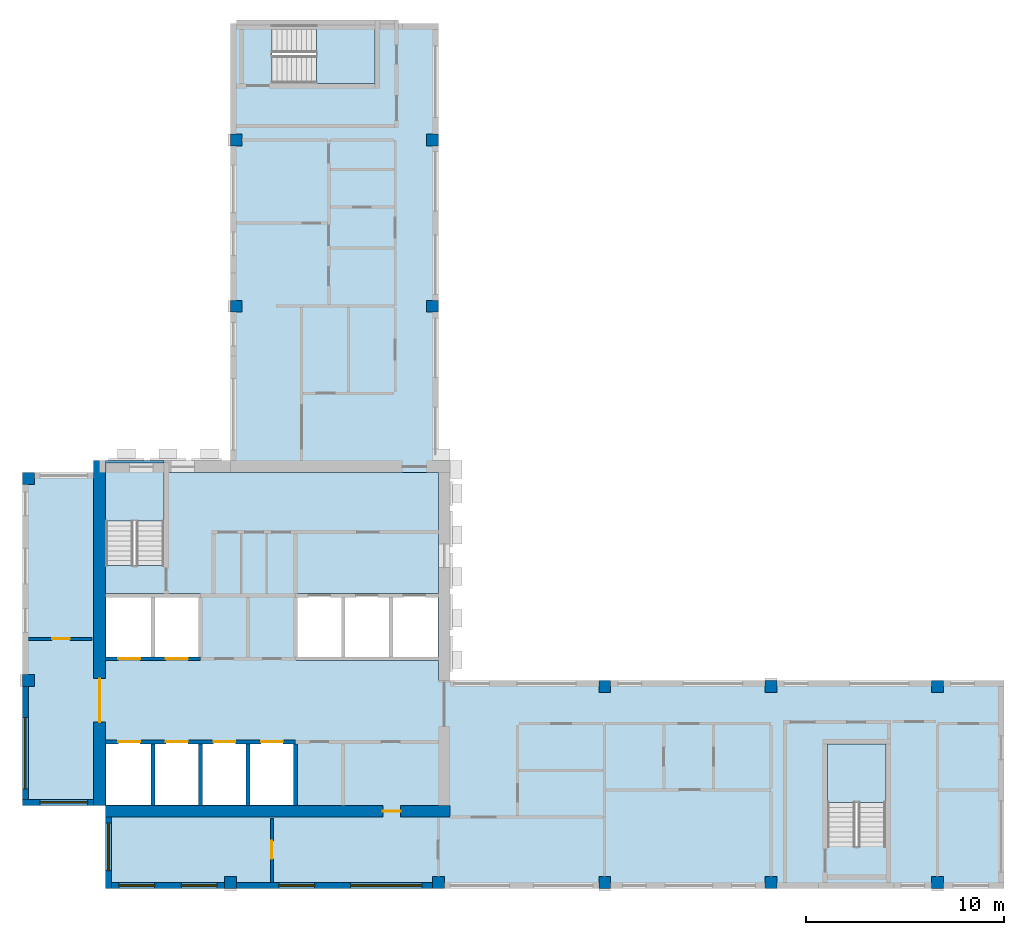
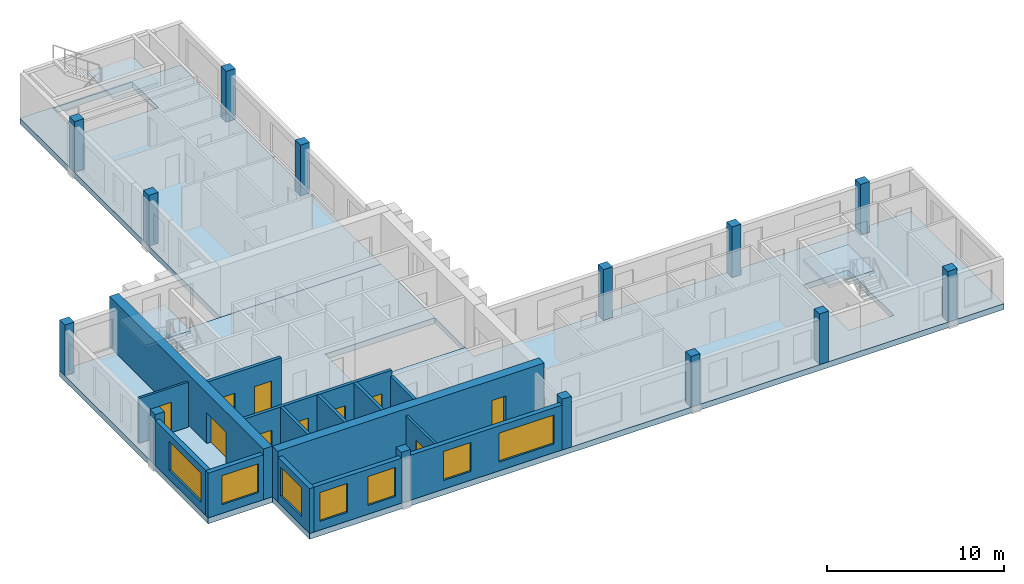
# One storey, part 1 of 10: 15 walls, 14 columns, 10 doors, 7 windows, 6 slabs, 17 openings, 3 elements without a shape of their own.
"""IFC4 building model written with IfcOpenShell, lengths in metres."""

from ifc_helpers import new_model, si_unit, direction, frame, frame_2d, origin, origin_2d, place, context, subcontext, project, spatial, polyline, rectangle, outline, extrude, source, transform, mapped, material, layer, layer_set, material_profile, profile_set, type_object, element, fill, aggregate, save


model = new_model("IFC4")

# Units and contexts
model_context = context("Model", 3, precision=1e-05, world=origin(), true_north=direction((0.0, 1.0)))
body_context = subcontext(model_context, "Body", "Model", "MODEL_VIEW")
ifc_project = project(units=[si_unit("LENGTHUNIT", "METRE"), si_unit("AREAUNIT", "SQUARE_METRE"), si_unit("VOLUMEUNIT", "CUBIC_METRE"), si_unit("PLANEANGLEUNIT", "RADIAN"), si_unit("MASSUNIT", "GRAM", prefix="KILO")], contexts=[model_context])

# Site, building, storey
site_placement = place(None, origin())
site = spatial("IfcSite", under=ifc_project, at=site_placement, CompositionType="ELEMENT")
building_placement = place(site_placement, origin())
building = spatial("IfcBuilding", under=site, at=building_placement, Name="Aurelian Terraces", CompositionType="ELEMENT")
storey_placement = place(building_placement, frame((0.0, 0.0, 358.0)))
storey = spatial("IfcBuildingStorey", under=building, at=storey_placement, Name="L85", CompositionType="ELEMENT", Elevation=358.0)

# Columns
ifc_material_1 = material(Name="Concrete fc' 55 MPa", Category="concrete")
ifc_material_profile = material_profile(ifc_material_1, rectangle(XDim=0.6, YDim=0.6, at=origin_2d()))
ifc_profile_set = profile_set([ifc_material_profile], Name="Concrete fc' 55 MPa")
column_type = type_object("IfcColumnType", Name="RC COLUMN 600X600 FC55", PredefinedType="COLUMN", material=ifc_profile_set)
shared_shape_1 = source(origin(), body_context, "Body", "SweptSolid", [
    extrude(rectangle(XDim=0.6, YDim=0.6, at=origin_2d()), origin(), (0.0, 0.0, 1.0), 3.5),
])
for number, where, z_axis, x_axis, name in (
    (1, (10.5, 0.3, 0.0), (0.0, 0.0, 1.0), (1.0, 0.0, 0.0), "Column 2/A L85"),
    (2, (21.0, 0.3, 0.0), (0.0, 0.0, 1.0), (1.0, 0.0, 0.0), "Column 3/A L85"),
    (3, (29.4, 0.3, 0.0), (0.0, 0.0, 1.0), (1.0, 0.0, 0.0), "Column 4/A L85"),
    (4, (37.8, 0.3, 0.0), (0.0, 0.0, 1.0), (1.0, 0.0, 0.0), "Column 5/A L85"),
    (5, (46.2, 0.3, 0.0), (0.0, 0.0, 1.0), (1.0, 0.0, 0.0), "Column 6/A L85"),
    (6, (0.3, 10.5, 0.0), (0.0, 0.0, 1.0), (1.0, 0.0, 0.0), "Column 1/B L85"),
    (7, (29.4, 10.2, 0.0), (0.0, 0.0, 1.0), (1.0, 0.0, 0.0), "Column 4/B L85"),
    (8, (37.8, 10.2, 0.0), (0.0, 0.0, 1.0), (1.0, 0.0, 0.0), "Column 5/B L85"),
    (9, (46.2, 10.2, 0.0), (0.0, 0.0, 1.0), (1.0, 0.0, 0.0), "Column 6/B L85"),
    (10, (0.3, 20.7, 0.0), (0.0, 0.0, 1.0), (1.0, 0.0, 0.0), "Column 1/C L85"),
    (11, (10.8, 29.4, 0.0), (0.0, 0.0, 1.0), (1.0, 0.0, 0.0), "Column 2/D L85"),
    (12, (20.7, 29.4, 0.0), (0.0, 0.0, 1.0), (1.0, 0.0, 0.0), "Column 3/D L85"),
    (13, (10.8, 37.8, 0.0), (0.0, 0.0, 1.0), (1.0, 0.0, 0.0), "Column 2/E L85"),
    (14, (20.7, 37.8, 0.0), (0.0, 0.0, 1.0), (1.0, 0.0, 0.0), "Column 3/E L85"),
):
    element("IfcColumn", number, at=place(storey_placement, frame(where, z_axis=z_axis, x_axis=x_axis)), inside=storey, type_object=column_type, Name=name, PredefinedType="COLUMN", context=body_context, shape_type="MappedRepresentation", body=[
        mapped(shared_shape_1, transform((0.0, 0.0, 0.0), scale=1.0)),
    ])

# Slabs
ifc_material_2 = material(Name="Concrete fc' 40 MPa", Category="concrete")
ifc_layer_1 = layer(ifc_material_2, 0.4)
ifc_layer_set_1 = layer_set([ifc_layer_1], Name="PT FLAT PLATE 400")
slab_type_1 = type_object("IfcSlabType", Name="PT FLAT PLATE 400", PredefinedType="FLOOR", material=ifc_layer_set_1)
shared_shape_2 = source(origin(), body_context, "Body", "SweptSolid", [
    extrude(outline(polyline([(10.5, 43.68), (14.7, 43.68), (16.8, 43.68), (21.0, 43.68), (21.0, 21.0), (10.5, 21.0), (10.5, 43.68)]), holes=[polyline([(17.79, 43.59), (12.61, 43.59), (12.61, 40.66), (17.79, 40.66), (17.79, 43.59)])]), origin(), (0.0, 0.0, 1.0), 0.4),
])
slab_1_placement = place(storey_placement, frame((0.0, 0.0, -0.4)))
element("IfcSlab", 15, at=slab_1_placement, inside=storey, type_object=slab_type_1, Name="Floor slab W L85", PredefinedType="FLOOR", context=body_context, shape_type="MappedRepresentation", body=[
    mapped(shared_shape_2, transform((0.0, 0.0, 0.0), scale=1.0)),
])
shared_shape_3 = source(origin(), body_context, "Body", "SweptSolid", [
    extrude(outline(polyline([(4.2, 21.0), (4.2, 21.6), (7.15, 21.6), (7.15, 21.0), (7.14, 21.0), (7.14, 21.49), (4.21, 21.49), (4.21, 21.0), (4.2, 21.0)])), origin(), (0.0, 0.0, 1.0), 0.4),
])
slab_2_placement = place(storey_placement, frame((0.0, 0.0, -0.4)))
element("IfcSlab", 16, at=slab_2_placement, inside=storey, type_object=slab_type_1, Name="Floor slab W2 L85", PredefinedType="FLOOR", context=body_context, shape_type="MappedRepresentation", body=[
    mapped(shared_shape_3, transform((0.0, 0.0, 0.0), scale=1.0)),
])
shared_shape_4 = source(origin(), body_context, "Body", "SweptSolid", [
    extrude(outline(polyline([(21.0, 0.0), (4.2, 0.0), (4.2, 4.2), (0.0, 4.2), (0.0, 10.5), (0.0, 21.0), (4.21, 21.0), (4.21, 16.31), (7.14, 16.31), (7.14, 21.0), (21.0, 21.0), (21.0, 10.5), (49.56, 10.5), (49.56, 6.3), (49.56, 4.2), (49.56, 0.0), (21.0, 0.0)]), holes=[polyline([(40.66, 2.11), (43.59, 2.11), (43.59, 7.29), (40.66, 7.29), (40.66, 2.11)]), polyline([(13.81, 14.89), (13.81, 11.51), (20.99, 11.51), (20.99, 14.89), (13.81, 14.89)]), polyline([(4.21, 7.49), (4.21, 4.21), (13.79, 4.21), (13.79, 7.49), (4.21, 7.49)]), polyline([(8.99, 11.51), (8.99, 14.89), (4.21, 14.89), (4.21, 11.51), (8.99, 11.51)])]), origin(), (0.0, 0.0, 1.0), 0.4),
])
slab_3_placement = place(storey_placement, frame((0.0, 0.0, -0.4)))
element("IfcSlab", 17, at=slab_3_placement, inside=storey, type_object=slab_type_1, Name="Floor slab S L85", PredefinedType="FLOOR", context=body_context, shape_type="MappedRepresentation", body=[
    mapped(shared_shape_4, transform((0.0, 0.0, 0.0), scale=1.0)),
])

# Stair, slab
stair_type = type_object("IfcStairType", Name="Stair 1400", PredefinedType="HALF_TURN_STAIR", material=ifc_material_2)
stair_1_placement = place(storey_placement, origin())
stair_1 = element("IfcStair", 18, at=stair_1_placement, inside=storey, type_object=stair_type, Name="L85 S1", PredefinedType="HALF_TURN_STAIR")
ifc_layer_2 = layer(ifc_material_2, 0.2)
ifc_layer_set_2 = layer_set([ifc_layer_2], Name="Stair landing 200")
slab_type_2 = type_object("IfcSlabType", Name="Stair landing 200", PredefinedType="LANDING", material=ifc_layer_set_2)
shared_shape_5 = source(origin(), body_context, "Body", "SweptSolid", [
    extrude(outline(polyline([(7.15, 18.55), (7.15, 21.5), (4.2, 21.5), (4.2, 18.55), (7.15, 18.55)])), origin(), (0.0, 0.0, 1.0), 0.2),
])
slab_4_placement = place(storey_placement, frame((0.0, 0.0, 1.55)))
slab_4 = element("IfcSlab", 19, at=slab_4_placement, type_object=slab_type_2, Name="S1 landing 1", PredefinedType="LANDING", context=body_context, shape_type="MappedRepresentation", body=[
    mapped(shared_shape_5, transform((0.0, 0.0, 0.0), scale=1.0)),
])
aggregate(stair_1, [slab_4])

stair_2_placement = place(storey_placement, origin())
stair_2 = element("IfcStair", 20, at=stair_2_placement, inside=storey, type_object=stair_type, Name="L85 S2", PredefinedType="HALF_TURN_STAIR")
shared_shape_6 = source(origin(), body_context, "Body", "SweptSolid", [
    extrude(outline(polyline([(43.6, 4.35), (43.6, 7.3), (40.65, 7.3), (40.65, 4.35), (43.6, 4.35)])), origin(), (0.0, 0.0, 1.0), 0.2),
])
slab_5_placement = place(storey_placement, frame((0.0, 0.0, 1.55)))
slab_5 = element("IfcSlab", 21, at=slab_5_placement, type_object=slab_type_2, Name="S2 landing 1", PredefinedType="LANDING", context=body_context, shape_type="MappedRepresentation", body=[
    mapped(shared_shape_6, transform((0.0, 0.0, 0.0), scale=1.0)),
])
aggregate(stair_2, [slab_5])

stair_3_placement = place(storey_placement, origin())
stair_3 = element("IfcStair", 22, at=stair_3_placement, inside=storey, type_object=stair_type, Name="L85 S3U", PredefinedType="HALF_TURN_STAIR")
shared_shape_7 = source(origin(), body_context, "Body", "SweptSolid", [
    extrude(outline(polyline([(14.85, 40.65), (17.8, 40.65), (17.8, 43.6), (14.85, 43.6), (14.85, 40.65)])), origin(), (0.0, 0.0, 1.0), 0.2),
])
slab_6_placement = place(storey_placement, frame((0.0, 0.0, 1.55)))
slab_6 = element("IfcSlab", 23, at=slab_6_placement, type_object=slab_type_2, Name="S3U landing 1", PredefinedType="LANDING", context=body_context, shape_type="MappedRepresentation", body=[
    mapped(shared_shape_7, transform((0.0, 0.0, 0.0), scale=1.0)),
])
aggregate(stair_3, [slab_6])

# Wall, opening, door
ifc_layer_3 = layer(ifc_material_1, 0.6)
ifc_layer_set_3 = layer_set([ifc_layer_3], Name="CORE WALL 600 FC55")
wall_type_1 = type_object("IfcWallType", Name="CORE WALL 600 FC55", PredefinedType="SHEAR", material=ifc_layer_set_3)
shared_shape_8 = source(origin(), body_context, "Body", "SweptSolid", [
    extrude(rectangle(XDim=17.4, YDim=0.6, at=frame_2d((8.7, 0.0))), origin(), (0.0, 0.0, 1.0), 3.5),
])
wall_1_placement = place(storey_placement, frame((3.9, 4.2, 0.0), z_axis=(0.0, 0.0, 1.0), x_axis=(0.0, 1.0, 0.0)))
wall_1 = element("IfcWall", 24, at=wall_1_placement, inside=storey, type_object=wall_type_1, Name="Core wall W L85", PredefinedType="SHEAR", context=body_context, shape_type="MappedRepresentation", body=[
    mapped(shared_shape_8, transform((0.0, 0.0, 0.0), scale=1.0)),
])
shared_shape_9 = source(origin(), body_context, "Body", "SweptSolid", [
    extrude(rectangle(XDim=2.2, YDim=2.1, at=frame_2d((1.1, 1.05))), frame((0.0, 0.31, 0.0), z_axis=(0.0, -1.0, 0.0), x_axis=(1.0, 0.0, 0.0)), (0.0, 0.0, 1.0), 0.62),
])
opening_1_placement = place(wall_1_placement, frame((4.2, 0.0, 0.0)))
opening_1 = element("IfcOpeningElement", 25, at=opening_1_placement, cuts=wall_1, Name="Opening 68825", PredefinedType="OPENING", context=body_context, shape_type="MappedRepresentation", body=[
    mapped(shared_shape_9, transform((0.0, 0.0, 0.0), scale=1.0)),
])
ifc_material_3 = material(Name="Steel door leaf", Category="steel")
door_type_1 = type_object("IfcDoorType", Name="Core double door 2200x2100", OperationType="DOUBLE_DOOR_SINGLE_SWING", PredefinedType="DOOR", material=ifc_material_3)
shared_shape_10 = source(origin(), body_context, "Body", "SweptSolid", [
    extrude(rectangle(XDim=2.2, YDim=2.1, at=frame_2d((1.1, 1.05))), frame((0.0, 0.025, 0.0), z_axis=(0.0, -1.0, 0.0), x_axis=(1.0, 0.0, 0.0)), (0.0, 0.0, 1.0), 0.05),
])
door_1_placement = place(opening_1_placement, origin())
door_1 = element("IfcDoor", 26, at=door_1_placement, inside=storey, type_object=door_type_1, Name="Core door 68825", OperationType="DOUBLE_DOOR_SINGLE_SWING", OverallHeight=2.1, OverallWidth=2.2, PredefinedType="DOOR", context=body_context, shape_type="MappedRepresentation", body=[
    mapped(shared_shape_10, transform((0.0, 0.0, 0.0), scale=1.0)),
])
fill(opening_1, door_1)

wall_2_placement = place(storey_placement, frame((4.2, 3.9, 0.0), z_axis=(0.0, 0.0, 1.0), x_axis=(1.0, 0.0, 0.0)))
wall_2 = element("IfcWall", 27, at=wall_2_placement, inside=storey, type_object=wall_type_1, Name="Core wall S L85", PredefinedType="SHEAR", context=body_context, shape_type="MappedRepresentation", body=[
    mapped(shared_shape_8, transform((0.0, 0.0, 0.0), scale=1.0)),
])
shared_shape_11 = source(origin(), body_context, "Body", "SweptSolid", [
    extrude(rectangle(XDim=0.9, YDim=2.1, at=frame_2d((0.45, 1.05))), frame((0.0, 0.31, 0.0), z_axis=(0.0, -1.0, 0.0), x_axis=(1.0, 0.0, 0.0)), (0.0, 0.0, 1.0), 0.62),
])
opening_2_placement = place(wall_2_placement, frame((14.0, 0.0, 0.0)))
opening_2 = element("IfcOpeningElement", 28, at=opening_2_placement, cuts=wall_2, Name="Opening 68827", PredefinedType="OPENING", context=body_context, shape_type="MappedRepresentation", body=[
    mapped(shared_shape_11, transform((0.0, 0.0, 0.0), scale=1.0)),
])
door_type_2 = type_object("IfcDoorType", Name="Core service door 900x2100 right", OperationType="SINGLE_SWING_RIGHT", PredefinedType="DOOR", material=ifc_material_3)
shared_shape_12 = source(origin(), body_context, "Body", "SweptSolid", [
    extrude(rectangle(XDim=0.9, YDim=2.1, at=frame_2d((0.45, 1.05))), frame((0.0, 0.025, 0.0), z_axis=(0.0, -1.0, 0.0), x_axis=(1.0, 0.0, 0.0)), (0.0, 0.0, 1.0), 0.05),
])
door_2_placement = place(opening_2_placement, origin())
door_2 = element("IfcDoor", 29, at=door_2_placement, inside=storey, type_object=door_type_2, Name="Core door 68827", OperationType="SINGLE_SWING_RIGHT", OverallHeight=2.1, OverallWidth=0.9, PredefinedType="DOOR", context=body_context, shape_type="MappedRepresentation", body=[
    mapped(shared_shape_12, transform((0.0, 0.0, 0.0), scale=1.0)),
])
fill(opening_2, door_2)

# Wall, opening, window
ifc_material_4 = material(Name="Terracotta rainscreen cladding", Category="masonry")
ifc_layer_4 = layer(ifc_material_4, 0.3)
ifc_layer_set_4 = layer_set([ifc_layer_4], Name="EW-300")
wall_type_2 = type_object("IfcWallType", Name="EW-300", PredefinedType="STANDARD", material=ifc_layer_set_4)
shared_shape_13 = source(origin(), body_context, "Body", "SweptSolid", [
    extrude(rectangle(XDim=3.6, YDim=0.3, at=frame_2d((1.8, 0.0))), origin(), (0.0, 0.0, 1.0), 3.1),
])
wall_3_placement = place(storey_placement, frame((0.0, 4.35, 0.0), z_axis=(0.0, 0.0, 1.0), x_axis=(1.0, 0.0, 0.0)))
wall_3 = element("IfcWall", 30, at=wall_3_placement, inside=storey, type_object=wall_type_2, Name="External wall L85 F13.23", PredefinedType="STANDARD", context=body_context, shape_type="MappedRepresentation", body=[
    mapped(shared_shape_13, transform((0.0, 0.0, 0.0), scale=1.0)),
])
shared_shape_14 = source(origin(), body_context, "Body", "SweptSolid", [
    extrude(rectangle(XDim=2.4, YDim=2.0, at=frame_2d((1.2, 1.0))), frame((0.0, 0.16, 0.0), z_axis=(0.0, -1.0, 0.0), x_axis=(1.0, 0.0, 0.0)), (0.0, 0.0, 1.0), 0.32),
])
opening_3_placement = place(wall_3_placement, frame((0.9, 0.0, 0.6)))
opening_3 = element("IfcOpeningElement", 31, at=opening_3_placement, cuts=wall_3, Name="Opening W2420", PredefinedType="OPENING", context=body_context, shape_type="MappedRepresentation", body=[
    mapped(shared_shape_14, transform((0.0, 0.0, 0.0), scale=1.0)),
])
ifc_material_5 = material(Name="Clear glazing", Category="glass")
window_type_1 = type_object("IfcWindowType", Name="W-2400x2000", PartitioningType="SINGLE_PANEL", PredefinedType="WINDOW", material=ifc_material_5)
shared_shape_15 = source(origin(), body_context, "Body", "SweptSolid", [
    extrude(rectangle(XDim=2.4, YDim=2.0, at=frame_2d((1.2, 1.0))), frame((0.0, 0.03, 0.0), z_axis=(0.0, -1.0, 0.0), x_axis=(1.0, 0.0, 0.0)), (0.0, 0.0, 1.0), 0.06),
])
window_1_placement = place(opening_3_placement, origin())
window_1 = element("IfcWindow", 32, at=window_1_placement, inside=storey, type_object=window_type_1, Name="Window L85 L85-F13-23-0", OverallHeight=2.0, OverallWidth=2.4, PartitioningType="SINGLE_PANEL", PredefinedType="WINDOW", context=body_context, shape_type="MappedRepresentation", body=[
    mapped(shared_shape_15, transform((0.0, 0.0, 0.0), scale=1.0)),
])
fill(opening_3, window_1)

wall_4_placement = place(storey_placement, frame((4.35, 3.6, 0.0), z_axis=(0.0, 0.0, 1.0), x_axis=(0.0, -1.0, 0.0)))
wall_4 = element("IfcWall", 33, at=wall_4_placement, inside=storey, type_object=wall_type_2, Name="External wall L85 F14.24", PredefinedType="STANDARD", context=body_context, shape_type="MappedRepresentation", body=[
    mapped(shared_shape_13, transform((0.0, 0.0, 0.0), scale=1.0)),
])
opening_4_placement = place(wall_4_placement, frame((0.3, 0.0, 0.6)))
opening_4 = element("IfcOpeningElement", 34, at=opening_4_placement, cuts=wall_4, Name="Opening W2420", PredefinedType="OPENING", context=body_context, shape_type="MappedRepresentation", body=[
    mapped(shared_shape_14, transform((0.0, 0.0, 0.0), scale=1.0)),
])
window_2_placement = place(opening_4_placement, origin())
window_2 = element("IfcWindow", 35, at=window_2_placement, inside=storey, type_object=window_type_1, Name="Window L85 L85-F14-24-0", OverallHeight=2.0, OverallWidth=2.4, PartitioningType="SINGLE_PANEL", PredefinedType="WINDOW", context=body_context, shape_type="MappedRepresentation", body=[
    mapped(shared_shape_15, transform((0.0, 0.0, 0.0), scale=1.0)),
])
fill(opening_4, window_2)

# Wall, openings, windows
shared_shape_16 = source(origin(), body_context, "Body", "SweptSolid", [
    extrude(rectangle(XDim=6.0, YDim=0.3, at=frame_2d((3.0, 0.0))), origin(), (0.0, 0.0, 1.0), 3.1),
])
wall_5_placement = place(storey_placement, frame((4.2, 0.15, 0.0), z_axis=(0.0, 0.0, 1.0), x_axis=(1.0, 0.0, 0.0)))
wall_5 = element("IfcWall", 36, at=wall_5_placement, inside=storey, type_object=wall_type_2, Name="External wall L85 F01.1", PredefinedType="STANDARD", context=body_context, shape_type="MappedRepresentation", body=[
    mapped(shared_shape_16, transform((0.0, 0.0, 0.0), scale=1.0)),
])
shared_shape_17 = source(origin(), body_context, "Body", "SweptSolid", [
    extrude(rectangle(XDim=1.8, YDim=2.0, at=frame_2d((0.9, 1.0))), frame((0.0, 0.16, 0.0), z_axis=(0.0, -1.0, 0.0), x_axis=(1.0, 0.0, 0.0)), (0.0, 0.0, 1.0), 0.32),
])
opening_5_placement = place(wall_5_placement, frame((0.675, 0.0, 0.6)))
opening_5 = element("IfcOpeningElement", 37, at=opening_5_placement, cuts=wall_5, Name="Opening W1820", PredefinedType="OPENING", context=body_context, shape_type="MappedRepresentation", body=[
    mapped(shared_shape_17, transform((0.0, 0.0, 0.0), scale=1.0)),
])
opening_6_placement = place(wall_5_placement, frame((3.825, 0.0, 0.6)))
opening_6 = element("IfcOpeningElement", 38, at=opening_6_placement, cuts=wall_5, Name="Opening W1820", PredefinedType="OPENING", context=body_context, shape_type="MappedRepresentation", body=[
    mapped(shared_shape_17, transform((0.0, 0.0, 0.0), scale=1.0)),
])
window_type_2 = type_object("IfcWindowType", Name="W-1800x2000", PartitioningType="SINGLE_PANEL", PredefinedType="WINDOW", material=ifc_material_5)
shared_shape_18 = source(origin(), body_context, "Body", "SweptSolid", [
    extrude(rectangle(XDim=1.8, YDim=2.0, at=frame_2d((0.9, 1.0))), frame((0.0, 0.03, 0.0), z_axis=(0.0, -1.0, 0.0), x_axis=(1.0, 0.0, 0.0)), (0.0, 0.0, 1.0), 0.06),
])
window_3_placement = place(opening_5_placement, origin())
window_3 = element("IfcWindow", 39, at=window_3_placement, inside=storey, type_object=window_type_2, Name="Window L85 L85-F01-01-0", OverallHeight=2.0, OverallWidth=1.8, PartitioningType="SINGLE_PANEL", PredefinedType="WINDOW", context=body_context, shape_type="MappedRepresentation", body=[
    mapped(shared_shape_18, transform((0.0, 0.0, 0.0), scale=1.0)),
])
fill(opening_5, window_3)
window_4_placement = place(opening_6_placement, origin())
window_4 = element("IfcWindow", 40, at=window_4_placement, inside=storey, type_object=window_type_2, Name="Window L85 L85-F01-01-1", OverallHeight=2.0, OverallWidth=1.8, PartitioningType="SINGLE_PANEL", PredefinedType="WINDOW", context=body_context, shape_type="MappedRepresentation", body=[
    mapped(shared_shape_18, transform((0.0, 0.0, 0.0), scale=1.0)),
])
fill(opening_6, window_4)

# Wall, opening, window
wall_6_placement = place(storey_placement, frame((0.15, 10.2, 0.0), z_axis=(0.0, 0.0, 1.0), x_axis=(0.0, -1.0, 0.0)))
wall_6 = element("IfcWall", 41, at=wall_6_placement, inside=storey, type_object=wall_type_2, Name="External wall L85 F12.22", PredefinedType="STANDARD", context=body_context, shape_type="MappedRepresentation", body=[
    mapped(shared_shape_16, transform((0.0, 0.0, 0.0), scale=1.0)),
])
shared_shape_19 = source(origin(), body_context, "Body", "SweptSolid", [
    extrude(rectangle(XDim=3.6, YDim=2.0, at=frame_2d((1.8, 1.0))), frame((0.0, 0.16, 0.0), z_axis=(0.0, -1.0, 0.0), x_axis=(1.0, 0.0, 0.0)), (0.0, 0.0, 1.0), 0.32),
])
opening_7_placement = place(wall_6_placement, frame((1.575, 0.0, 0.6)))
opening_7 = element("IfcOpeningElement", 42, at=opening_7_placement, cuts=wall_6, Name="Opening W3620", PredefinedType="OPENING", context=body_context, shape_type="MappedRepresentation", body=[
    mapped(shared_shape_19, transform((0.0, 0.0, 0.0), scale=1.0)),
])
window_type_3 = type_object("IfcWindowType", Name="W-3600x2000", PartitioningType="SINGLE_PANEL", PredefinedType="WINDOW", material=ifc_material_5)
shared_shape_20 = source(origin(), body_context, "Body", "SweptSolid", [
    extrude(rectangle(XDim=3.6, YDim=2.0, at=frame_2d((1.8, 1.0))), frame((0.0, 0.03, 0.0), z_axis=(0.0, -1.0, 0.0), x_axis=(1.0, 0.0, 0.0)), (0.0, 0.0, 1.0), 0.06),
])
window_5_placement = place(opening_7_placement, origin())
window_5 = element("IfcWindow", 43, at=window_5_placement, inside=storey, type_object=window_type_3, Name="Window L85 L85-F12-22-3", OverallHeight=2.0, OverallWidth=3.6, PartitioningType="SINGLE_PANEL", PredefinedType="WINDOW", context=body_context, shape_type="MappedRepresentation", body=[
    mapped(shared_shape_20, transform((0.0, 0.0, 0.0), scale=1.0)),
])
fill(opening_7, window_5)

# Wall, openings, windows
shared_shape_21 = source(origin(), body_context, "Body", "SweptSolid", [
    extrude(rectangle(XDim=9.9, YDim=0.3, at=frame_2d((4.95, 0.0))), origin(), (0.0, 0.0, 1.0), 3.1),
])
wall_7_placement = place(storey_placement, frame((10.8, 0.15, 0.0), z_axis=(0.0, 0.0, 1.0), x_axis=(1.0, 0.0, 0.0)))
wall_7 = element("IfcWall", 44, at=wall_7_placement, inside=storey, type_object=wall_type_2, Name="External wall L85 F01.2", PredefinedType="STANDARD", context=body_context, shape_type="MappedRepresentation", body=[
    mapped(shared_shape_21, transform((0.0, 0.0, 0.0), scale=1.0)),
])
opening_8_placement = place(wall_7_placement, frame((2.15, 0.0, 0.6)))
opening_8 = element("IfcOpeningElement", 45, at=opening_8_placement, cuts=wall_7, Name="Opening W1820", PredefinedType="OPENING", context=body_context, shape_type="MappedRepresentation", body=[
    mapped(shared_shape_17, transform((0.0, 0.0, 0.0), scale=1.0)),
])
opening_9_placement = place(wall_7_placement, frame((5.775, 0.0, 0.6)))
opening_9 = element("IfcOpeningElement", 46, at=opening_9_placement, cuts=wall_7, Name="Opening W3620", PredefinedType="OPENING", context=body_context, shape_type="MappedRepresentation", body=[
    mapped(shared_shape_19, transform((0.0, 0.0, 0.0), scale=1.0)),
])
window_6_placement = place(opening_8_placement, origin())
window_6 = element("IfcWindow", 47, at=window_6_placement, inside=storey, type_object=window_type_2, Name="Window L85 L85-F01-02-0", OverallHeight=2.0, OverallWidth=1.8, PartitioningType="SINGLE_PANEL", PredefinedType="WINDOW", context=body_context, shape_type="MappedRepresentation", body=[
    mapped(shared_shape_18, transform((0.0, 0.0, 0.0), scale=1.0)),
])
fill(opening_8, window_6)
window_7_placement = place(opening_9_placement, origin())
window_7 = element("IfcWindow", 48, at=window_7_placement, inside=storey, type_object=window_type_3, Name="Window L85 L85-F01-02-1", OverallHeight=2.0, OverallWidth=3.6, PartitioningType="SINGLE_PANEL", PredefinedType="WINDOW", context=body_context, shape_type="MappedRepresentation", body=[
    mapped(shared_shape_20, transform((0.0, 0.0, 0.0), scale=1.0)),
])
fill(opening_9, window_7)

# Walls
ifc_layer_5 = layer(ifc_material_2, 0.2)
ifc_layer_set_5 = layer_set([ifc_layer_5], Name="Lift shaft wall 200")
wall_type_3 = type_object("IfcWallType", Name="Lift shaft wall 200", PredefinedType="SOLIDWALL", material=ifc_layer_set_5)
shared_shape_22 = source(origin(), body_context, "Body", "SweptSolid", [
    extrude(rectangle(XDim=3.1, YDim=0.2, at=frame_2d((1.55, 0.0))), origin(), (0.0, 0.0, 1.0), 3.5),
])
for number, where, z_axis, x_axis, name in (
    (49, (6.6, 4.2, 0.0), (0.0, 0.0, 1.0), (0.0, 1.0, 0.0), "L85 core wall CD-A1"),
    (50, (9.0, 4.2, 0.0), (0.0, 0.0, 1.0), (0.0, 1.0, 0.0), "L85 core wall CD-A2"),
    (51, (11.4, 4.2, 0.0), (0.0, 0.0, 1.0), (0.0, 1.0, 0.0), "L85 core wall CD-A3"),
):
    element("IfcWall", number, at=place(storey_placement, frame(where, z_axis=z_axis, x_axis=x_axis)), inside=storey, type_object=wall_type_3, Name=name, PredefinedType="SOLIDWALL", context=body_context, shape_type="MappedRepresentation", body=[
        mapped(shared_shape_22, transform((0.0, 0.0, 0.0), scale=1.0)),
    ])
shared_shape_23 = source(origin(), body_context, "Body", "SweptSolid", [
    extrude(rectangle(XDim=3.1, YDim=0.2, at=frame_2d((1.55, 0.0))), origin(), (0.0, 0.0, 1.0), 3.1),
])
wall_8_placement = place(storey_placement, frame((13.8, 4.2, 0.0), z_axis=(0.0, 0.0, 1.0), x_axis=(0.0, 1.0, 0.0)))
element("IfcWall", 52, at=wall_8_placement, inside=storey, type_object=wall_type_3, Name="L85 core wall CD-A4", PredefinedType="SOLIDWALL", context=body_context, shape_type="MappedRepresentation", body=[
    mapped(shared_shape_23, transform((0.0, 0.0, 0.0), scale=1.0)),
])

# Wall, openings, doors
shared_shape_24 = source(origin(), body_context, "Body", "SweptSolid", [
    extrude(rectangle(XDim=4.8, YDim=0.2, at=frame_2d((2.4, 0.0))), origin(), (0.0, 0.0, 1.0), 3.5),
])
wall_9_placement = place(storey_placement, frame((4.2, 11.6, 0.0), z_axis=(0.0, 0.0, 1.0), x_axis=(1.0, 0.0, 0.0)))
wall_9 = element("IfcWall", 53, at=wall_9_placement, inside=storey, type_object=wall_type_3, Name="L85 core wall CF-BF1", PredefinedType="SOLIDWALL", context=body_context, shape_type="MappedRepresentation", body=[
    mapped(shared_shape_24, transform((0.0, 0.0, 0.0), scale=1.0)),
])
shared_shape_25 = source(origin(), body_context, "Body", "SweptSolid", [
    extrude(rectangle(XDim=1.1, YDim=2.1, at=frame_2d((0.55, 1.05))), frame((0.0, 0.11, 0.0), z_axis=(0.0, -1.0, 0.0), x_axis=(1.0, 0.0, 0.0)), (0.0, 0.0, 1.0), 0.22),
])
opening_10_placement = place(wall_9_placement, frame((0.65, 0.0, 0.0)))
opening_10 = element("IfcOpeningElement", 54, at=opening_10_placement, cuts=wall_9, Name="Opening 68806", PredefinedType="OPENING", context=body_context, shape_type="MappedRepresentation", body=[
    mapped(shared_shape_25, transform((0.0, 0.0, 0.0), scale=1.0)),
])
opening_11_placement = place(wall_9_placement, frame((3.05, 0.0, 0.0)))
opening_11 = element("IfcOpeningElement", 55, at=opening_11_placement, cuts=wall_9, Name="Opening 68807", PredefinedType="OPENING", context=body_context, shape_type="MappedRepresentation", body=[
    mapped(shared_shape_25, transform((0.0, 0.0, 0.0), scale=1.0)),
])
ifc_material_6 = material(Name="Stainless steel", Category="steel")
door_type_3 = type_object("IfcDoorType", Name="Lift landing door 1100x2100", OperationType="SLIDING_TO_LEFT", PredefinedType="DOOR", material=ifc_material_6)
shared_shape_26 = source(origin(), body_context, "Body", "SweptSolid", [
    extrude(rectangle(XDim=1.1, YDim=2.1, at=frame_2d((0.55, 1.05))), frame((0.0, 0.025, 0.0), z_axis=(0.0, -1.0, 0.0), x_axis=(1.0, 0.0, 0.0)), (0.0, 0.0, 1.0), 0.05),
])
door_3_placement = place(opening_10_placement, origin())
door_3 = element("IfcDoor", 56, at=door_3_placement, inside=storey, type_object=door_type_3, Name="Lift landing door LH5 L85", OperationType="SLIDING_TO_LEFT", OverallHeight=2.1, OverallWidth=1.1, PredefinedType="DOOR", context=body_context, shape_type="MappedRepresentation", body=[
    mapped(shared_shape_26, transform((0.0, 0.0, 0.0), scale=1.0)),
])
fill(opening_10, door_3)
door_4_placement = place(opening_11_placement, origin())
door_4 = element("IfcDoor", 57, at=door_4_placement, inside=storey, type_object=door_type_3, Name="Lift landing door LH6 L85", OperationType="SLIDING_TO_LEFT", OverallHeight=2.1, OverallWidth=1.1, PredefinedType="DOOR", context=body_context, shape_type="MappedRepresentation", body=[
    mapped(shared_shape_26, transform((0.0, 0.0, 0.0), scale=1.0)),
])
fill(opening_11, door_4)

shared_shape_27 = source(origin(), body_context, "Body", "SweptSolid", [
    extrude(rectangle(XDim=9.6, YDim=0.2, at=frame_2d((4.8, 0.0))), origin(), (0.0, 0.0, 1.0), 3.5),
])
wall_10_placement = place(storey_placement, frame((4.2, 7.4, 0.0), z_axis=(0.0, 0.0, 1.0), x_axis=(1.0, 0.0, 0.0)))
wall_10 = element("IfcWall", 58, at=wall_10_placement, inside=storey, type_object=wall_type_3, Name="L85 core wall CF-AF1", PredefinedType="SOLIDWALL", context=body_context, shape_type="MappedRepresentation", body=[
    mapped(shared_shape_27, transform((0.0, 0.0, 0.0), scale=1.0)),
])
opening_12_placement = place(wall_10_placement, frame((0.65, 0.0, 0.0)))
opening_12 = element("IfcOpeningElement", 59, at=opening_12_placement, cuts=wall_10, Name="Opening 68800", PredefinedType="OPENING", context=body_context, shape_type="MappedRepresentation", body=[
    mapped(shared_shape_25, transform((0.0, 0.0, 0.0), scale=1.0)),
])
opening_13_placement = place(wall_10_placement, frame((3.05, 0.0, 0.0)))
opening_13 = element("IfcOpeningElement", 60, at=opening_13_placement, cuts=wall_10, Name="Opening 68801", PredefinedType="OPENING", context=body_context, shape_type="MappedRepresentation", body=[
    mapped(shared_shape_25, transform((0.0, 0.0, 0.0), scale=1.0)),
])
opening_14_placement = place(wall_10_placement, frame((5.45, 0.0, 0.0)))
opening_14 = element("IfcOpeningElement", 61, at=opening_14_placement, cuts=wall_10, Name="Opening 68802", PredefinedType="OPENING", context=body_context, shape_type="MappedRepresentation", body=[
    mapped(shared_shape_25, transform((0.0, 0.0, 0.0), scale=1.0)),
])
opening_15_placement = place(wall_10_placement, frame((7.85, 0.0, 0.0)))
opening_15 = element("IfcOpeningElement", 62, at=opening_15_placement, cuts=wall_10, Name="Opening 68803", PredefinedType="OPENING", context=body_context, shape_type="MappedRepresentation", body=[
    mapped(shared_shape_25, transform((0.0, 0.0, 0.0), scale=1.0)),
])
door_5_placement = place(opening_12_placement, origin())
door_5 = element("IfcDoor", 63, at=door_5_placement, inside=storey, type_object=door_type_3, Name="Lift landing door LH1 L85", OperationType="SLIDING_TO_LEFT", OverallHeight=2.1, OverallWidth=1.1, PredefinedType="DOOR", context=body_context, shape_type="MappedRepresentation", body=[
    mapped(shared_shape_26, transform((0.0, 0.0, 0.0), scale=1.0)),
])
fill(opening_12, door_5)
door_6_placement = place(opening_13_placement, origin())
door_6 = element("IfcDoor", 64, at=door_6_placement, inside=storey, type_object=door_type_3, Name="Lift landing door LH2 L85", OperationType="SLIDING_TO_LEFT", OverallHeight=2.1, OverallWidth=1.1, PredefinedType="DOOR", context=body_context, shape_type="MappedRepresentation", body=[
    mapped(shared_shape_26, transform((0.0, 0.0, 0.0), scale=1.0)),
])
fill(opening_13, door_6)
door_7_placement = place(opening_14_placement, origin())
door_7 = element("IfcDoor", 65, at=door_7_placement, inside=storey, type_object=door_type_3, Name="Lift landing door LH3 L85", OperationType="SLIDING_TO_LEFT", OverallHeight=2.1, OverallWidth=1.1, PredefinedType="DOOR", context=body_context, shape_type="MappedRepresentation", body=[
    mapped(shared_shape_26, transform((0.0, 0.0, 0.0), scale=1.0)),
])
fill(opening_14, door_7)
door_8_placement = place(opening_15_placement, origin())
door_8 = element("IfcDoor", 66, at=door_8_placement, inside=storey, type_object=door_type_3, Name="Lift landing door LH4 L85", OperationType="SLIDING_TO_LEFT", OverallHeight=2.1, OverallWidth=1.1, PredefinedType="DOOR", context=body_context, shape_type="MappedRepresentation", body=[
    mapped(shared_shape_26, transform((0.0, 0.0, 0.0), scale=1.0)),
])
fill(opening_15, door_8)

# Wall, opening, door
ifc_material_7 = material(Name="Gypsum board on steel studs", Category="steel")
ifc_layer_6 = layer(ifc_material_7, 0.15)
ifc_layer_set_6 = layer_set([ifc_layer_6], Name="Partition 150")
wall_type_4 = type_object("IfcWallType", Name="Partition 150", PredefinedType="PARTITIONING", material=ifc_layer_set_6)
shared_shape_28 = source(origin(), body_context, "Body", "SweptSolid", [
    extrude(rectangle(XDim=3.225, YDim=0.15, at=frame_2d((1.6125, 0.0))), origin(), (0.0, 0.0, 1.0), 3.1),
])
wall_11_placement = place(storey_placement, frame((12.6, 3.525, 0.0), z_axis=(0.0, 0.0, 1.0), x_axis=(0.0, -1.0, 0.0)))
wall_11 = element("IfcWall", 67, at=wall_11_placement, inside=storey, type_object=wall_type_4, Name="Partition", PredefinedType="PARTITIONING", context=body_context, shape_type="MappedRepresentation", body=[
    mapped(shared_shape_28, transform((0.0, 0.0, 0.0), scale=1.0)),
])
shared_shape_29 = source(origin(), body_context, "Body", "SweptSolid", [
    extrude(rectangle(XDim=0.9, YDim=2.1, at=frame_2d((0.45, 1.05))), frame((0.0, 0.085, 0.0), z_axis=(0.0, -1.0, 0.0), x_axis=(1.0, 0.0, 0.0)), (0.0, 0.0, 1.0), 0.17),
])
opening_16_placement = place(wall_11_placement, frame((1.125, 0.0, 0.0)))
opening_16 = element("IfcOpeningElement", 68, at=opening_16_placement, cuts=wall_11, Name="Opening 785003", PredefinedType="OPENING", context=body_context, shape_type="MappedRepresentation", body=[
    mapped(shared_shape_29, transform((0.0, 0.0, 0.0), scale=1.0)),
])
ifc_material_8 = material(Name="Timber door leaf", Category="wood")
door_type_4 = type_object("IfcDoorType", Name="Room door 900x2100 left", OperationType="SINGLE_SWING_LEFT", PredefinedType="DOOR", material=ifc_material_8)
door_9_placement = place(opening_16_placement, origin())
door_9 = element("IfcDoor", 69, at=door_9_placement, inside=storey, type_object=door_type_4, Name="Door 785003", OperationType="SINGLE_SWING_LEFT", OverallHeight=2.1, OverallWidth=0.9, PredefinedType="DOOR", context=body_context, shape_type="MappedRepresentation", body=[
    mapped(shared_shape_12, transform((0.0, 0.0, 0.0), scale=1.0)),
])
fill(opening_16, door_9)

wall_12_placement = place(storey_placement, frame((0.3, 12.6, 0.0), z_axis=(0.0, 0.0, 1.0), x_axis=(1.0, 0.0, 0.0)))
wall_12 = element("IfcWall", 70, at=wall_12_placement, inside=storey, type_object=wall_type_4, Name="Partition", PredefinedType="PARTITIONING", context=body_context, shape_type="MappedRepresentation", body=[
    mapped(shared_shape_28, transform((0.0, 0.0, 0.0), scale=1.0)),
])
opening_17_placement = place(wall_12_placement, frame((1.2, 0.0, 0.0)))
opening_17 = element("IfcOpeningElement", 71, at=opening_17_placement, cuts=wall_12, Name="Opening 785014", PredefinedType="OPENING", context=body_context, shape_type="MappedRepresentation", body=[
    mapped(shared_shape_29, transform((0.0, 0.0, 0.0), scale=1.0)),
])
door_10_placement = place(opening_17_placement, origin())
door_10 = element("IfcDoor", 72, at=door_10_placement, inside=storey, type_object=door_type_4, Name="Door 785014", OperationType="SINGLE_SWING_LEFT", OverallHeight=2.1, OverallWidth=0.9, PredefinedType="DOOR", context=body_context, shape_type="MappedRepresentation", body=[
    mapped(shared_shape_12, transform((0.0, 0.0, 0.0), scale=1.0)),
])
fill(opening_17, door_10)

save(model, "model.ifc")
